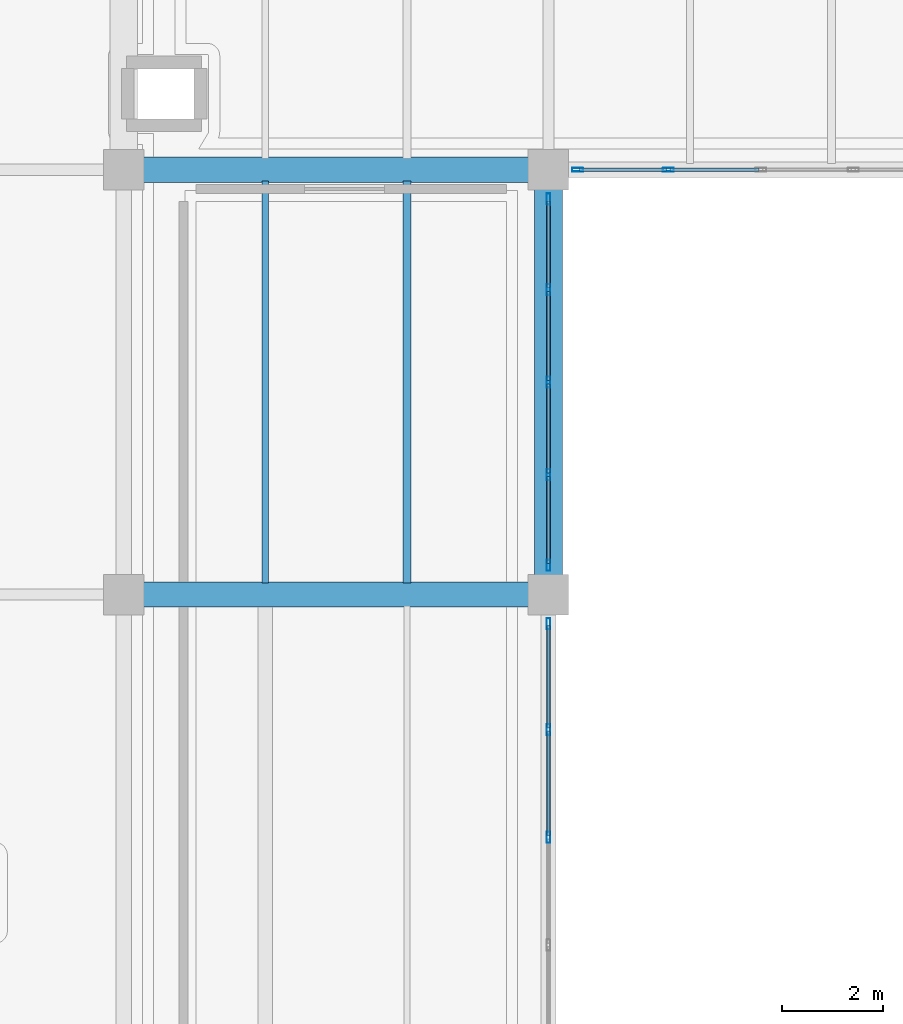
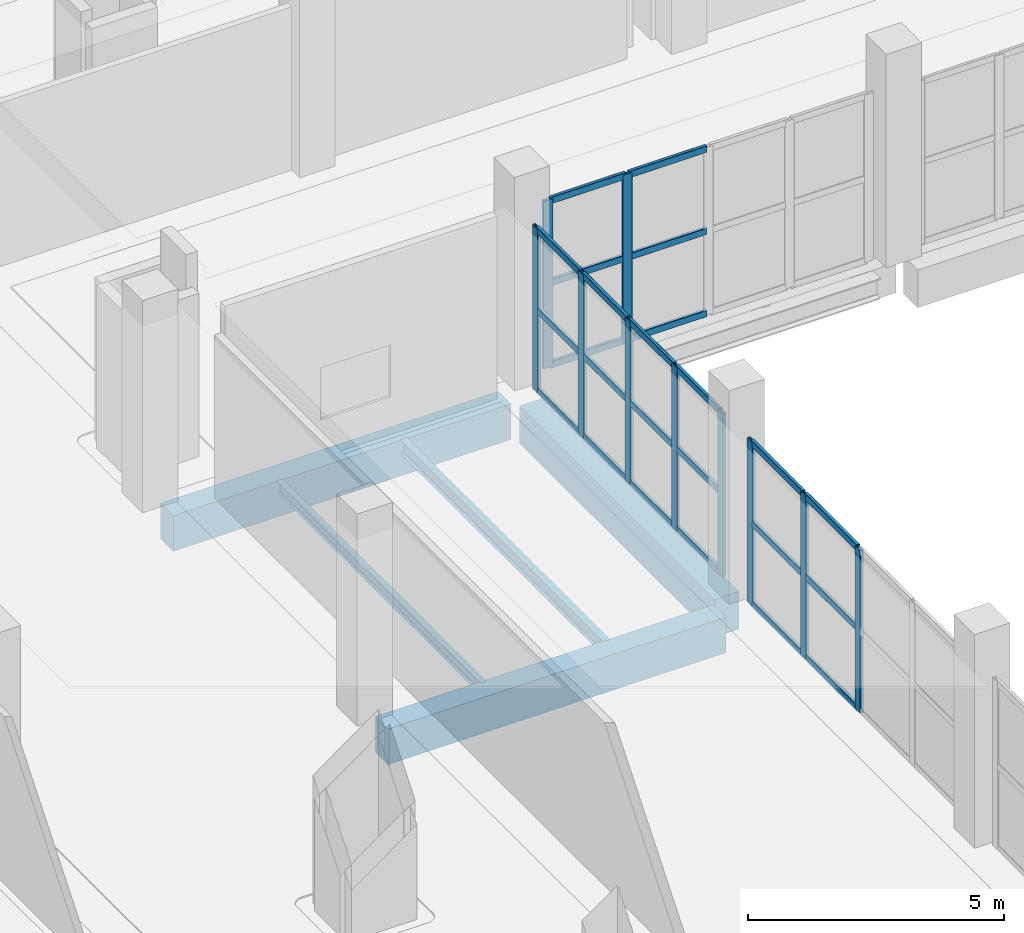
# One storey, part 42 of 73: 34 members, 5 beams, 3 elements without a shape of their own.
"""IFC4 building model written with IfcOpenShell, lengths in metres."""

from ifc_helpers import new_model, si_unit, direction, frame, origin, origin_2d, place, context, subcontext, project, spatial, rectangle, hollow_rectangle, i_section, extrude, material, layer, layer_set, material_profile, profile_set, type_object, element, aggregate, save


model = new_model("IFC4")

# Units and contexts
model_context = context("Model", 3, precision=1e-05, world=origin(), true_north=direction((0.0, 1.0)))
body_context = subcontext(model_context, "Body", "Model", "MODEL_VIEW")
ifc_project = project(units=[si_unit("LENGTHUNIT", "METRE"), si_unit("AREAUNIT", "SQUARE_METRE"), si_unit("VOLUMEUNIT", "CUBIC_METRE"), si_unit("PLANEANGLEUNIT", "RADIAN"), si_unit("MASSUNIT", "GRAM", prefix="KILO")], contexts=[model_context])

# Site, building, storey
site_placement = place(None, origin())
site = spatial("IfcSite", under=ifc_project, at=site_placement, CompositionType="ELEMENT")
building_placement = place(site_placement, origin())
building = spatial("IfcBuilding", under=site, at=building_placement, Name="Zulmaris Art Gallery", CompositionType="ELEMENT")
storey_placement = place(building_placement, frame((0.0, 0.0, 10.5)))
storey = spatial("IfcBuildingStorey", under=building, at=storey_placement, Name="L02", CompositionType="ELEMENT", Elevation=10.5)

# Beams
ifc_material_1 = material(Name="Concrete C40/50", Category="concrete")
ifc_material_profile_1 = material_profile(ifc_material_1, rectangle(XDim=0.550048828125, YDim=0.89990234375, at=origin_2d()), Name="RC 550x900")
ifc_profile_set_1 = profile_set([ifc_material_profile_1], Name="Concrete C40/50")
beam_type_1 = type_object("IfcBeamType", Name="BEAM-BM21", PredefinedType="BEAM", material=ifc_profile_set_1)
beam_1_placement = place(storey_placement, frame((158.39990234375, 50.784912109375, -0.85009765625), z_axis=(0.0, 1.0, 0.0), x_axis=(-1.0, 0.0, 0.0)))
element("IfcBeam", 1, at=beam_1_placement, inside=storey, type_object=beam_type_1, Name="L02 Y-girder (x=158.4, 50.4..58.8)", PredefinedType="BEAM", context=body_context, shape_type="SweptSolid", body=[
    extrude(rectangle(XDim=0.550048828125, YDim=0.89990234375, at=origin_2d()), origin(), (0.0, 0.0, 1.0), 7.630126953125),
])
ifc_material_profile_2 = material_profile(ifc_material_1, rectangle(XDim=0.5, YDim=0.85009765625, at=origin_2d()), Name="RC 500x850")
ifc_profile_set_2 = profile_set([ifc_material_profile_2], Name="Concrete C40/50")
beam_type_2 = type_object("IfcBeamType", Name="BEAM-BM26", PredefinedType="BEAM", material=ifc_profile_set_2)
for number, where, z_axis, x_axis, name in (
    (2, (150.385009765625, 50.39990234375, -0.824951171875), (1.0, 0.0, 0.0), (0.0, 1.0, 0.0), "L02 X-girder (150.0..158.4, y=50.4)"),
    (3, (150.385009765625, 58.800048828125, -0.824951171875), (1.0, 0.0, 0.0), (0.0, 1.0, 0.0), "L02 X-girder (150.0..158.4, y=58.8)"),
):
    element("IfcBeam", number, at=place(storey_placement, frame(where, z_axis=z_axis, x_axis=x_axis)), inside=storey, type_object=beam_type_2, Name=name, PredefinedType="BEAM", context=body_context, shape_type="SweptSolid", body=[
        extrude(rectangle(XDim=0.5, YDim=0.85009765625, at=origin_2d()), origin(), (0.0, 0.0, 1.0), 7.6298828125),
    ])
ifc_material_2 = material(Name="Steel S355J2", Category="steel")
ifc_material_profile_3 = material_profile(ifc_material_2, i_section(OverallWidth=0.135009765625, OverallDepth=0.27001953125, WebThickness=0.006591796875, FlangeThickness=0.01025390625, FilletRadius=0.014892578125, at=origin_2d()), Name="IPE 270")
ifc_profile_set_3 = profile_set([ifc_material_profile_3], Name="Steel S355J2")
beam_type_3 = type_object("IfcBeamType", Name="BEAM-JS02", PredefinedType="JOIST", material=ifc_profile_set_3)
beam_2_placement = place(storey_placement, frame((152.800048828125, 50.625, -0.534912109375), z_axis=(0.0, 1.0, 0.0), x_axis=(-1.0, 0.0, 0.0)))
element("IfcBeam", 4, at=beam_2_placement, inside=storey, type_object=beam_type_3, Name="L02 secondary joist at x=152.8", PredefinedType="JOIST", context=body_context, shape_type="SweptSolid", body=[
    extrude(i_section(OverallWidth=0.135009765625, OverallDepth=0.27001953125, WebThickness=0.006591796875, FlangeThickness=0.01025390625, FilletRadius=0.014892578125, at=origin_2d()), origin(), (0.0, 0.0, 1.0), 7.949951171875),
])
ifc_material_profile_4 = material_profile(ifc_material_2, i_section(OverallWidth=0.159912109375, OverallDepth=0.330078125, WebThickness=0.007568359375, FlangeThickness=0.011474609375, FilletRadius=0.01806640625, at=origin_2d()), Name="IPE 330")
ifc_profile_set_4 = profile_set([ifc_material_profile_4], Name="Steel S355J2")
beam_type_4 = type_object("IfcBeamType", Name="BEAM-JS03", PredefinedType="JOIST", material=ifc_profile_set_4)
beam_3_placement = place(storey_placement, frame((155.60009765625, 50.625, -0.56494140625), z_axis=(0.0, 1.0, 0.0), x_axis=(-1.0, 0.0, 0.0)))
element("IfcBeam", 5, at=beam_3_placement, inside=storey, type_object=beam_type_4, Name="L02 secondary joist at x=155.6", PredefinedType="JOIST", context=body_context, shape_type="SweptSolid", body=[
    extrude(i_section(OverallWidth=0.159912109375, OverallDepth=0.330078125, WebThickness=0.007568359375, FlangeThickness=0.011474609375, FilletRadius=0.01806640625, at=origin_2d()), origin(), (0.0, 0.0, 1.0), 7.949951171875),
])

# Curtain wall, members
ifc_material_3 = material(Name="Courtyard Artists Studio Curtain Wall", Category="aluminium")
ifc_layer = layer(ifc_material_3, 0.179931640625)
ifc_layer_set = layer_set([ifc_layer], Name="Courtyard Artists Studio Curtain Wall")
curtain_wall_type = type_object("IfcCurtainWallType", Name="CW-CW04", PredefinedType="NOTDEFINED", material=ifc_layer_set)
curtain_wall_1_placement = place(storey_placement, origin())
curtain_wall_1 = element("IfcCurtainWall", 6, at=curtain_wall_1_placement, inside=storey, type_object=curtain_wall_type, Name="L02 curtain wall 137", PredefinedType="NOTDEFINED")
ifc_material_4 = material(Name="Anodised Bronze Aluminium", Category="aluminium")
ifc_material_profile_5 = material_profile(ifc_material_4, hollow_rectangle(XDim=0.074951171875, YDim=0.219970703125, WallThickness=0.0048828125, InnerFilletRadius=0.007568359375, OuterFilletRadius=0.012451171875, at=origin_2d()), Name="ALU 75x220x5")
ifc_profile_set_5 = profile_set([ifc_material_profile_5], Name="Anodised Bronze Aluminium")
member_type_1 = type_object("IfcMemberType", Name="CWMUL-02", PredefinedType="MULLION", material=ifc_profile_set_5)
member_1_placement = place(storey_placement, frame((158.39990234375, 45.60009765625, 0.0), z_axis=(0.0, 0.0, 1.0), x_axis=(-1.0, 0.0, 0.0)))
member_1 = element("IfcMember", 7, at=member_1_placement, type_object=member_type_1, Name="CW04 mullion 3", PredefinedType="MULLION", context=body_context, shape_type="SweptSolid", body=[
    extrude(hollow_rectangle(XDim=0.074951171875, YDim=0.219970703125, WallThickness=0.0048828125, InnerFilletRadius=0.007568359375, OuterFilletRadius=0.012451171875, at=origin_2d()), origin(), (0.0, 0.0, 1.0), 3.89990234375),
])
member_2_placement = place(storey_placement, frame((158.39990234375, 47.72998046875, 0.0), z_axis=(0.0, 0.0, 1.0), x_axis=(-1.0, 0.0, 0.0)))
member_2 = element("IfcMember", 8, at=member_2_placement, type_object=member_type_1, Name="CW04 mullion 4", PredefinedType="MULLION", context=body_context, shape_type="SweptSolid", body=[
    extrude(hollow_rectangle(XDim=0.074951171875, YDim=0.219970703125, WallThickness=0.0048828125, InnerFilletRadius=0.007568359375, OuterFilletRadius=0.012451171875, at=origin_2d()), origin(), (0.0, 0.0, 1.0), 3.89990234375),
])
member_3_placement = place(storey_placement, frame((158.39990234375, 49.822509765625, 0.0), z_axis=(0.0, 0.0, 1.0), x_axis=(-1.0, 0.0, 0.0)))
member_3 = element("IfcMember", 9, at=member_3_placement, type_object=member_type_1, Name="CW04 mullion 5", PredefinedType="MULLION", context=body_context, shape_type="SweptSolid", body=[
    extrude(hollow_rectangle(XDim=0.074951171875, YDim=0.219970703125, WallThickness=0.0048828125, InnerFilletRadius=0.007568359375, OuterFilletRadius=0.012451171875, at=origin_2d()), origin(), (0.0, 0.0, 1.0), 3.89990234375),
])

curtain_wall_2_placement = place(storey_placement, origin())
curtain_wall_2 = element("IfcCurtainWall", 10, at=curtain_wall_2_placement, inside=storey, type_object=curtain_wall_type, Name="L02 curtain wall 139", PredefinedType="NOTDEFINED")
member_4_placement = place(storey_placement, frame((158.39990234375, 50.9775390625, 0.0), z_axis=(0.0, 0.0, 1.0), x_axis=(-1.0, 0.0, 0.0)))
member_4 = element("IfcMember", 11, at=member_4_placement, type_object=member_type_1, Name="CW04 mullion 1", PredefinedType="MULLION", context=body_context, shape_type="SweptSolid", body=[
    extrude(hollow_rectangle(XDim=0.074951171875, YDim=0.219970703125, WallThickness=0.0048828125, InnerFilletRadius=0.007568359375, OuterFilletRadius=0.012451171875, at=origin_2d()), origin(), (0.0, 0.0, 1.0), 3.89990234375),
])
member_5_placement = place(storey_placement, frame((158.39990234375, 52.77001953125, 0.0), z_axis=(0.0, 0.0, 1.0), x_axis=(-1.0, 0.0, 0.0)))
member_5 = element("IfcMember", 12, at=member_5_placement, type_object=member_type_1, Name="CW04 mullion 2", PredefinedType="MULLION", context=body_context, shape_type="SweptSolid", body=[
    extrude(hollow_rectangle(XDim=0.074951171875, YDim=0.219970703125, WallThickness=0.0048828125, InnerFilletRadius=0.007568359375, OuterFilletRadius=0.012451171875, at=origin_2d()), origin(), (0.0, 0.0, 1.0), 3.89990234375),
])
member_6_placement = place(storey_placement, frame((158.39990234375, 54.60009765625, 0.0), z_axis=(0.0, 0.0, 1.0), x_axis=(-1.0, 0.0, 0.0)))
member_6 = element("IfcMember", 13, at=member_6_placement, type_object=member_type_1, Name="CW04 mullion 3", PredefinedType="MULLION", context=body_context, shape_type="SweptSolid", body=[
    extrude(hollow_rectangle(XDim=0.074951171875, YDim=0.219970703125, WallThickness=0.0048828125, InnerFilletRadius=0.007568359375, OuterFilletRadius=0.012451171875, at=origin_2d()), origin(), (0.0, 0.0, 1.0), 3.89990234375),
])
member_7_placement = place(storey_placement, frame((158.39990234375, 56.429931640625, 0.0), z_axis=(0.0, 0.0, 1.0), x_axis=(-1.0, 0.0, 0.0)))
member_7 = element("IfcMember", 14, at=member_7_placement, type_object=member_type_1, Name="CW04 mullion 4", PredefinedType="MULLION", context=body_context, shape_type="SweptSolid", body=[
    extrude(hollow_rectangle(XDim=0.074951171875, YDim=0.219970703125, WallThickness=0.0048828125, InnerFilletRadius=0.007568359375, OuterFilletRadius=0.012451171875, at=origin_2d()), origin(), (0.0, 0.0, 1.0), 3.89990234375),
])
member_8_placement = place(storey_placement, frame((158.39990234375, 58.222412109375, 0.0), z_axis=(0.0, 0.0, 1.0), x_axis=(-1.0, 0.0, 0.0)))
member_8 = element("IfcMember", 15, at=member_8_placement, type_object=member_type_1, Name="CW04 mullion 5", PredefinedType="MULLION", context=body_context, shape_type="SweptSolid", body=[
    extrude(hollow_rectangle(XDim=0.074951171875, YDim=0.219970703125, WallThickness=0.0048828125, InnerFilletRadius=0.007568359375, OuterFilletRadius=0.012451171875, at=origin_2d()), origin(), (0.0, 0.0, 1.0), 3.89990234375),
])

curtain_wall_3_placement = place(storey_placement, origin())
curtain_wall_3 = element("IfcCurtainWall", 16, at=curtain_wall_3_placement, inside=storey, type_object=curtain_wall_type, Name="L02 curtain wall 141", PredefinedType="NOTDEFINED")
member_9_placement = place(storey_placement, frame((160.77001953125, 58.800048828125, 0.0), z_axis=(0.0, 0.0, 1.0), x_axis=(0.0, -1.0, 0.0)))
member_9 = element("IfcMember", 17, at=member_9_placement, type_object=member_type_1, Name="CW04 mullion 4", PredefinedType="MULLION", context=body_context, shape_type="SweptSolid", body=[
    extrude(hollow_rectangle(XDim=0.074951171875, YDim=0.219970703125, WallThickness=0.0048828125, InnerFilletRadius=0.007568359375, OuterFilletRadius=0.012451171875, at=origin_2d()), origin(), (0.0, 0.0, 1.0), 4.0),
])
member_10_placement = place(storey_placement, frame((158.9775390625, 58.800048828125, 0.0), z_axis=(0.0, 0.0, 1.0), x_axis=(0.0, -1.0, 0.0)))
member_10 = element("IfcMember", 18, at=member_10_placement, type_object=member_type_1, Name="CW04 mullion 5", PredefinedType="MULLION", context=body_context, shape_type="SweptSolid", body=[
    extrude(hollow_rectangle(XDim=0.074951171875, YDim=0.219970703125, WallThickness=0.0048828125, InnerFilletRadius=0.007568359375, OuterFilletRadius=0.012451171875, at=origin_2d()), origin(), (0.0, 0.0, 1.0), 4.0),
])

# Member
ifc_material_profile_6 = material_profile(ifc_material_4, hollow_rectangle(XDim=0.074951171875, YDim=0.159912109375, WallThickness=0.00390625, InnerFilletRadius=0.006103515625, OuterFilletRadius=0.010009765625, at=origin_2d()), Name="ALU 75x160x4")
ifc_profile_set_6 = profile_set([ifc_material_profile_6], Name="Anodised Bronze Aluminium")
member_type_2 = type_object("IfcMemberType", Name="CWTRN-02", PredefinedType="USERDEFINED", material=ifc_profile_set_6)
member_11_placement = place(storey_placement, frame((158.39990234375, 45.637451171875, 0.03759765625), z_axis=(0.0, 1.0, 0.0), x_axis=(-1.0, 0.0, 0.0)))
member_11 = element("IfcMember", 19, at=member_11_placement, type_object=member_type_2, Name="CW04 transom 3.1", ObjectType="TRANSOM", PredefinedType="USERDEFINED", context=body_context, shape_type="SweptSolid", body=[
    extrude(hollow_rectangle(XDim=0.074951171875, YDim=0.159912109375, WallThickness=0.00390625, InnerFilletRadius=0.006103515625, OuterFilletRadius=0.010009765625, at=origin_2d()), origin(), (0.0, 0.0, 1.0), 2.054931640625),
])

member_12_placement = place(storey_placement, frame((158.39990234375, 45.637451171875, 1.949951171875), z_axis=(0.0, 1.0, 0.0), x_axis=(-1.0, 0.0, 0.0)))
member_12 = element("IfcMember", 20, at=member_12_placement, type_object=member_type_2, Name="CW04 transom 3.2", ObjectType="TRANSOM", PredefinedType="USERDEFINED", context=body_context, shape_type="SweptSolid", body=[
    extrude(hollow_rectangle(XDim=0.074951171875, YDim=0.159912109375, WallThickness=0.00390625, InnerFilletRadius=0.006103515625, OuterFilletRadius=0.010009765625, at=origin_2d()), origin(), (0.0, 0.0, 1.0), 2.054931640625),
])

member_13_placement = place(storey_placement, frame((158.39990234375, 45.637451171875, 3.862548828125), z_axis=(0.0, 1.0, 0.0), x_axis=(-1.0, 0.0, 0.0)))
member_13 = element("IfcMember", 21, at=member_13_placement, type_object=member_type_2, Name="CW04 transom 3.3", ObjectType="TRANSOM", PredefinedType="USERDEFINED", context=body_context, shape_type="SweptSolid", body=[
    extrude(hollow_rectangle(XDim=0.074951171875, YDim=0.159912109375, WallThickness=0.00390625, InnerFilletRadius=0.006103515625, OuterFilletRadius=0.010009765625, at=origin_2d()), origin(), (0.0, 0.0, 1.0), 2.054931640625),
])

member_14_placement = place(storey_placement, frame((158.39990234375, 47.767578125, 0.03759765625), z_axis=(0.0, 1.0, 0.0), x_axis=(-1.0, 0.0, 0.0)))
member_14 = element("IfcMember", 22, at=member_14_placement, type_object=member_type_2, Name="CW04 transom 4.1", ObjectType="TRANSOM", PredefinedType="USERDEFINED", context=body_context, shape_type="SweptSolid", body=[
    extrude(hollow_rectangle(XDim=0.074951171875, YDim=0.159912109375, WallThickness=0.00390625, InnerFilletRadius=0.006103515625, OuterFilletRadius=0.010009765625, at=origin_2d()), origin(), (0.0, 0.0, 1.0), 2.017333984375),
])

member_15_placement = place(storey_placement, frame((158.39990234375, 47.767578125, 1.949951171875), z_axis=(0.0, 1.0, 0.0), x_axis=(-1.0, 0.0, 0.0)))
member_15 = element("IfcMember", 23, at=member_15_placement, type_object=member_type_2, Name="CW04 transom 4.2", ObjectType="TRANSOM", PredefinedType="USERDEFINED", context=body_context, shape_type="SweptSolid", body=[
    extrude(hollow_rectangle(XDim=0.074951171875, YDim=0.159912109375, WallThickness=0.00390625, InnerFilletRadius=0.006103515625, OuterFilletRadius=0.010009765625, at=origin_2d()), origin(), (0.0, 0.0, 1.0), 2.017333984375),
])

member_16_placement = place(storey_placement, frame((158.39990234375, 47.767578125, 3.862548828125), z_axis=(0.0, 1.0, 0.0), x_axis=(-1.0, 0.0, 0.0)))
member_16 = element("IfcMember", 24, at=member_16_placement, type_object=member_type_2, Name="CW04 transom 4.3", ObjectType="TRANSOM", PredefinedType="USERDEFINED", context=body_context, shape_type="SweptSolid", body=[
    extrude(hollow_rectangle(XDim=0.074951171875, YDim=0.159912109375, WallThickness=0.00390625, InnerFilletRadius=0.006103515625, OuterFilletRadius=0.010009765625, at=origin_2d()), origin(), (0.0, 0.0, 1.0), 2.017333984375),
])

aggregate(curtain_wall_1, [member_1, member_2, member_3, member_11, member_12, member_13, member_14, member_15, member_16])

member_17_placement = place(storey_placement, frame((158.39990234375, 51.014892578125, 0.03759765625), z_axis=(0.0, 1.0, 0.0), x_axis=(-1.0, 0.0, 0.0)))
member_17 = element("IfcMember", 25, at=member_17_placement, type_object=member_type_2, Name="CW04 transom 1.1", ObjectType="TRANSOM", PredefinedType="USERDEFINED", context=body_context, shape_type="SweptSolid", body=[
    extrude(hollow_rectangle(XDim=0.074951171875, YDim=0.159912109375, WallThickness=0.00390625, InnerFilletRadius=0.006103515625, OuterFilletRadius=0.010009765625, at=origin_2d()), origin(), (0.0, 0.0, 1.0), 1.717529296875),
])

member_18_placement = place(storey_placement, frame((158.39990234375, 51.014892578125, 1.949951171875), z_axis=(0.0, 1.0, 0.0), x_axis=(-1.0, 0.0, 0.0)))
member_18 = element("IfcMember", 26, at=member_18_placement, type_object=member_type_2, Name="CW04 transom 1.2", ObjectType="TRANSOM", PredefinedType="USERDEFINED", context=body_context, shape_type="SweptSolid", body=[
    extrude(hollow_rectangle(XDim=0.074951171875, YDim=0.159912109375, WallThickness=0.00390625, InnerFilletRadius=0.006103515625, OuterFilletRadius=0.010009765625, at=origin_2d()), origin(), (0.0, 0.0, 1.0), 1.717529296875),
])

member_19_placement = place(storey_placement, frame((158.39990234375, 51.014892578125, 3.862548828125), z_axis=(0.0, 1.0, 0.0), x_axis=(-1.0, 0.0, 0.0)))
member_19 = element("IfcMember", 27, at=member_19_placement, type_object=member_type_2, Name="CW04 transom 1.3", ObjectType="TRANSOM", PredefinedType="USERDEFINED", context=body_context, shape_type="SweptSolid", body=[
    extrude(hollow_rectangle(XDim=0.074951171875, YDim=0.159912109375, WallThickness=0.00390625, InnerFilletRadius=0.006103515625, OuterFilletRadius=0.010009765625, at=origin_2d()), origin(), (0.0, 0.0, 1.0), 1.717529296875),
])

member_20_placement = place(storey_placement, frame((158.39990234375, 52.8076171875, 0.03759765625), z_axis=(0.0, 1.0, 0.0), x_axis=(-1.0, 0.0, 0.0)))
member_20 = element("IfcMember", 28, at=member_20_placement, type_object=member_type_2, Name="CW04 transom 2.1", ObjectType="TRANSOM", PredefinedType="USERDEFINED", context=body_context, shape_type="SweptSolid", body=[
    extrude(hollow_rectangle(XDim=0.074951171875, YDim=0.159912109375, WallThickness=0.00390625, InnerFilletRadius=0.006103515625, OuterFilletRadius=0.010009765625, at=origin_2d()), origin(), (0.0, 0.0, 1.0), 1.7548828125),
])

member_21_placement = place(storey_placement, frame((158.39990234375, 52.8076171875, 1.949951171875), z_axis=(0.0, 1.0, 0.0), x_axis=(-1.0, 0.0, 0.0)))
member_21 = element("IfcMember", 29, at=member_21_placement, type_object=member_type_2, Name="CW04 transom 2.2", ObjectType="TRANSOM", PredefinedType="USERDEFINED", context=body_context, shape_type="SweptSolid", body=[
    extrude(hollow_rectangle(XDim=0.074951171875, YDim=0.159912109375, WallThickness=0.00390625, InnerFilletRadius=0.006103515625, OuterFilletRadius=0.010009765625, at=origin_2d()), origin(), (0.0, 0.0, 1.0), 1.7548828125),
])

member_22_placement = place(storey_placement, frame((158.39990234375, 52.8076171875, 3.862548828125), z_axis=(0.0, 1.0, 0.0), x_axis=(-1.0, 0.0, 0.0)))
member_22 = element("IfcMember", 30, at=member_22_placement, type_object=member_type_2, Name="CW04 transom 2.3", ObjectType="TRANSOM", PredefinedType="USERDEFINED", context=body_context, shape_type="SweptSolid", body=[
    extrude(hollow_rectangle(XDim=0.074951171875, YDim=0.159912109375, WallThickness=0.00390625, InnerFilletRadius=0.006103515625, OuterFilletRadius=0.010009765625, at=origin_2d()), origin(), (0.0, 0.0, 1.0), 1.7548828125),
])

member_23_placement = place(storey_placement, frame((158.39990234375, 54.637451171875, 0.03759765625), z_axis=(0.0, 1.0, 0.0), x_axis=(-1.0, 0.0, 0.0)))
member_23 = element("IfcMember", 31, at=member_23_placement, type_object=member_type_2, Name="CW04 transom 3.1", ObjectType="TRANSOM", PredefinedType="USERDEFINED", context=body_context, shape_type="SweptSolid", body=[
    extrude(hollow_rectangle(XDim=0.074951171875, YDim=0.159912109375, WallThickness=0.00390625, InnerFilletRadius=0.006103515625, OuterFilletRadius=0.010009765625, at=origin_2d()), origin(), (0.0, 0.0, 1.0), 1.755126953125),
])

member_24_placement = place(storey_placement, frame((158.39990234375, 54.637451171875, 1.949951171875), z_axis=(0.0, 1.0, 0.0), x_axis=(-1.0, 0.0, 0.0)))
member_24 = element("IfcMember", 32, at=member_24_placement, type_object=member_type_2, Name="CW04 transom 3.2", ObjectType="TRANSOM", PredefinedType="USERDEFINED", context=body_context, shape_type="SweptSolid", body=[
    extrude(hollow_rectangle(XDim=0.074951171875, YDim=0.159912109375, WallThickness=0.00390625, InnerFilletRadius=0.006103515625, OuterFilletRadius=0.010009765625, at=origin_2d()), origin(), (0.0, 0.0, 1.0), 1.755126953125),
])

member_25_placement = place(storey_placement, frame((158.39990234375, 54.637451171875, 3.862548828125), z_axis=(0.0, 1.0, 0.0), x_axis=(-1.0, 0.0, 0.0)))
member_25 = element("IfcMember", 33, at=member_25_placement, type_object=member_type_2, Name="CW04 transom 3.3", ObjectType="TRANSOM", PredefinedType="USERDEFINED", context=body_context, shape_type="SweptSolid", body=[
    extrude(hollow_rectangle(XDim=0.074951171875, YDim=0.159912109375, WallThickness=0.00390625, InnerFilletRadius=0.006103515625, OuterFilletRadius=0.010009765625, at=origin_2d()), origin(), (0.0, 0.0, 1.0), 1.755126953125),
])

member_26_placement = place(storey_placement, frame((158.39990234375, 56.467529296875, 0.03759765625), z_axis=(0.0, 1.0, 0.0), x_axis=(-1.0, 0.0, 0.0)))
member_26 = element("IfcMember", 34, at=member_26_placement, type_object=member_type_2, Name="CW04 transom 4.1", ObjectType="TRANSOM", PredefinedType="USERDEFINED", context=body_context, shape_type="SweptSolid", body=[
    extrude(hollow_rectangle(XDim=0.074951171875, YDim=0.159912109375, WallThickness=0.00390625, InnerFilletRadius=0.006103515625, OuterFilletRadius=0.010009765625, at=origin_2d()), origin(), (0.0, 0.0, 1.0), 1.717529296875),
])

member_27_placement = place(storey_placement, frame((158.39990234375, 56.467529296875, 1.949951171875), z_axis=(0.0, 1.0, 0.0), x_axis=(-1.0, 0.0, 0.0)))
member_27 = element("IfcMember", 35, at=member_27_placement, type_object=member_type_2, Name="CW04 transom 4.2", ObjectType="TRANSOM", PredefinedType="USERDEFINED", context=body_context, shape_type="SweptSolid", body=[
    extrude(hollow_rectangle(XDim=0.074951171875, YDim=0.159912109375, WallThickness=0.00390625, InnerFilletRadius=0.006103515625, OuterFilletRadius=0.010009765625, at=origin_2d()), origin(), (0.0, 0.0, 1.0), 1.717529296875),
])

member_28_placement = place(storey_placement, frame((158.39990234375, 56.467529296875, 3.862548828125), z_axis=(0.0, 1.0, 0.0), x_axis=(-1.0, 0.0, 0.0)))
member_28 = element("IfcMember", 36, at=member_28_placement, type_object=member_type_2, Name="CW04 transom 4.3", ObjectType="TRANSOM", PredefinedType="USERDEFINED", context=body_context, shape_type="SweptSolid", body=[
    extrude(hollow_rectangle(XDim=0.074951171875, YDim=0.159912109375, WallThickness=0.00390625, InnerFilletRadius=0.006103515625, OuterFilletRadius=0.010009765625, at=origin_2d()), origin(), (0.0, 0.0, 1.0), 1.717529296875),
])

aggregate(curtain_wall_2, [member_4, member_5, member_6, member_7, member_8, member_17, member_18, member_19, member_20, member_21, member_22, member_23, member_24, member_25, member_26, member_27, member_28])

member_29_placement = place(storey_placement, frame((162.5625, 58.800048828125, 0.03759765625), z_axis=(-1.0, 0.0, 0.0), x_axis=(0.0, -1.0, 0.0)))
member_29 = element("IfcMember", 37, at=member_29_placement, type_object=member_type_2, Name="CW04 transom 3.1", ObjectType="TRANSOM", PredefinedType="USERDEFINED", context=body_context, shape_type="SweptSolid", body=[
    extrude(hollow_rectangle(XDim=0.074951171875, YDim=0.159912109375, WallThickness=0.00390625, InnerFilletRadius=0.006103515625, OuterFilletRadius=0.010009765625, at=origin_2d()), origin(), (0.0, 0.0, 1.0), 1.7548828125),
])

member_30_placement = place(storey_placement, frame((162.5625, 58.800048828125, 2.0), z_axis=(-1.0, 0.0, 0.0), x_axis=(0.0, -1.0, 0.0)))
member_30 = element("IfcMember", 38, at=member_30_placement, type_object=member_type_2, Name="CW04 transom 3.2", ObjectType="TRANSOM", PredefinedType="USERDEFINED", context=body_context, shape_type="SweptSolid", body=[
    extrude(hollow_rectangle(XDim=0.074951171875, YDim=0.159912109375, WallThickness=0.00390625, InnerFilletRadius=0.006103515625, OuterFilletRadius=0.010009765625, at=origin_2d()), origin(), (0.0, 0.0, 1.0), 1.7548828125),
])

member_31_placement = place(storey_placement, frame((162.5625, 58.800048828125, 3.96240234375), z_axis=(-1.0, 0.0, 0.0), x_axis=(0.0, -1.0, 0.0)))
member_31 = element("IfcMember", 39, at=member_31_placement, type_object=member_type_2, Name="CW04 transom 3.3", ObjectType="TRANSOM", PredefinedType="USERDEFINED", context=body_context, shape_type="SweptSolid", body=[
    extrude(hollow_rectangle(XDim=0.074951171875, YDim=0.159912109375, WallThickness=0.00390625, InnerFilletRadius=0.006103515625, OuterFilletRadius=0.010009765625, at=origin_2d()), origin(), (0.0, 0.0, 1.0), 1.7548828125),
])

member_32_placement = place(storey_placement, frame((160.732421875, 58.800048828125, 0.03759765625), z_axis=(-1.0, 0.0, 0.0), x_axis=(0.0, -1.0, 0.0)))
member_32 = element("IfcMember", 40, at=member_32_placement, type_object=member_type_2, Name="CW04 transom 4.1", ObjectType="TRANSOM", PredefinedType="USERDEFINED", context=body_context, shape_type="SweptSolid", body=[
    extrude(hollow_rectangle(XDim=0.074951171875, YDim=0.159912109375, WallThickness=0.00390625, InnerFilletRadius=0.006103515625, OuterFilletRadius=0.010009765625, at=origin_2d()), origin(), (0.0, 0.0, 1.0), 1.717529296875),
])

member_33_placement = place(storey_placement, frame((160.732421875, 58.800048828125, 2.0), z_axis=(-1.0, 0.0, 0.0), x_axis=(0.0, -1.0, 0.0)))
member_33 = element("IfcMember", 41, at=member_33_placement, type_object=member_type_2, Name="CW04 transom 4.2", ObjectType="TRANSOM", PredefinedType="USERDEFINED", context=body_context, shape_type="SweptSolid", body=[
    extrude(hollow_rectangle(XDim=0.074951171875, YDim=0.159912109375, WallThickness=0.00390625, InnerFilletRadius=0.006103515625, OuterFilletRadius=0.010009765625, at=origin_2d()), origin(), (0.0, 0.0, 1.0), 1.717529296875),
])

member_34_placement = place(storey_placement, frame((160.732421875, 58.800048828125, 3.96240234375), z_axis=(-1.0, 0.0, 0.0), x_axis=(0.0, -1.0, 0.0)))
member_34 = element("IfcMember", 42, at=member_34_placement, type_object=member_type_2, Name="CW04 transom 4.3", ObjectType="TRANSOM", PredefinedType="USERDEFINED", context=body_context, shape_type="SweptSolid", body=[
    extrude(hollow_rectangle(XDim=0.074951171875, YDim=0.159912109375, WallThickness=0.00390625, InnerFilletRadius=0.006103515625, OuterFilletRadius=0.010009765625, at=origin_2d()), origin(), (0.0, 0.0, 1.0), 1.717529296875),
])

aggregate(curtain_wall_3, [member_9, member_10, member_29, member_30, member_31, member_32, member_33, member_34])

save(model, "model.ifc")
